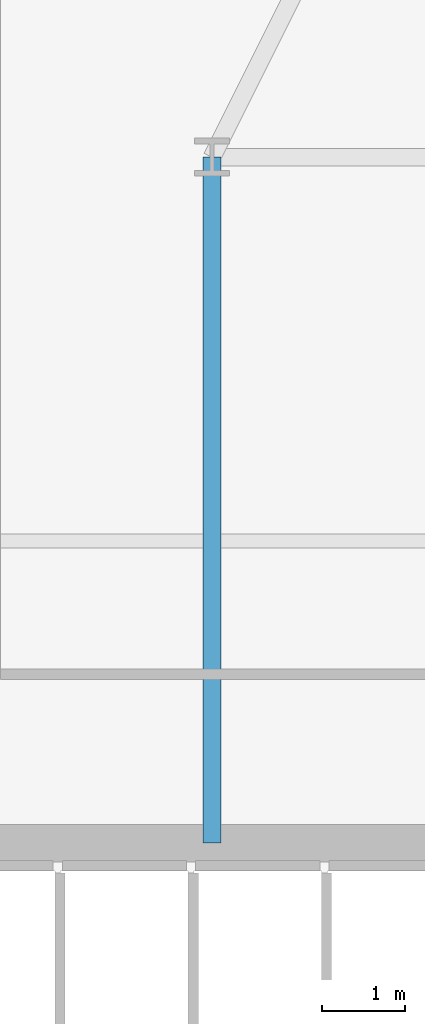
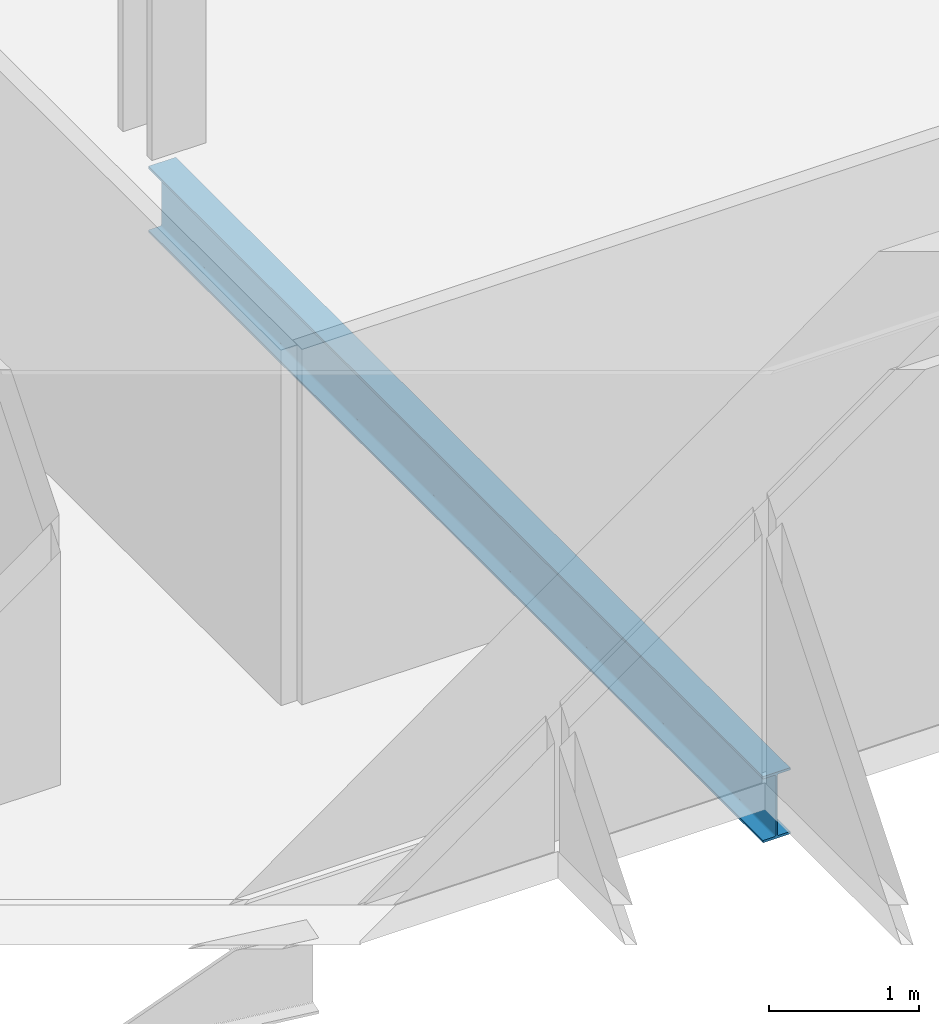
# One storey, part 5 of 32: 1 beam.
"""IFC4 building model written with IfcOpenShell, lengths in metres."""

from ifc_helpers import new_model, si_unit, direction, frame, origin, origin_2d, place, context, subcontext, project, spatial, i_section, extrude, material, material_profile, profile_set, type_object, element, save


model = new_model("IFC4")

# Units and contexts
model_context = context("Model", 3, precision=1e-05, world=origin(), true_north=direction((0.0, 1.0)))
body_context = subcontext(model_context, "Body", "Model", "MODEL_VIEW")
ifc_project = project(units=[si_unit("LENGTHUNIT", "METRE"), si_unit("AREAUNIT", "SQUARE_METRE"), si_unit("VOLUMEUNIT", "CUBIC_METRE"), si_unit("PLANEANGLEUNIT", "RADIAN"), si_unit("MASSUNIT", "GRAM", prefix="KILO")], contexts=[model_context])

# Site, building, storey
site_placement = place(None, origin())
site = spatial("IfcSite", under=ifc_project, at=site_placement, CompositionType="ELEMENT")
building_placement = place(site_placement, origin())
building = spatial("IfcBuilding", under=site, at=building_placement, Name="Ndaravel Arena Tower", CompositionType="ELEMENT")
storey_placement = place(building_placement, frame((0.0, 0.0, 47.39990234375)))
storey = spatial("IfcBuildingStorey", under=building, at=storey_placement, Name="L09", CompositionType="ELEMENT", Elevation=47.39990234375)

# Beam
ifc_material = material(Name="Steel S355", Category="steel")
ifc_material_profile = material_profile(ifc_material, i_section(OverallWidth=0.210693359375, OverallDepth=0.53955078125, WebThickness=0.01171875, FlangeThickness=0.018798828125, FilletRadius=0.0126953125, at=origin_2d()), Name="UB 533x210x109")
ifc_profile_set = profile_set([ifc_material_profile], Name="Steel S355")
beam_type = type_object("IfcBeamType", Name="BM-GIRD-UB533", PredefinedType="BEAM", material=ifc_profile_set)
beam_placement = place(storey_placement, frame((34.199951171875, 14.97998046875, -0.48974609375), z_axis=(0.0, 1.0, 0.0), x_axis=(-1.0, 0.0, 0.0)))
element("IfcBeam", 1, at=beam_placement, inside=storey, type_object=beam_type, Name="L09 Spine Link Girder SLG-01", PredefinedType="BEAM", context=body_context, shape_type="SweptSolid", body=[
    extrude(i_section(OverallWidth=0.210693359375, OverallDepth=0.53955078125, WebThickness=0.01171875, FlangeThickness=0.018798828125, FilletRadius=0.0126953125, at=origin_2d()), origin(), (0.0, 0.0, 1.0), 8.219970703125),
])

save(model, "model.ifc")
